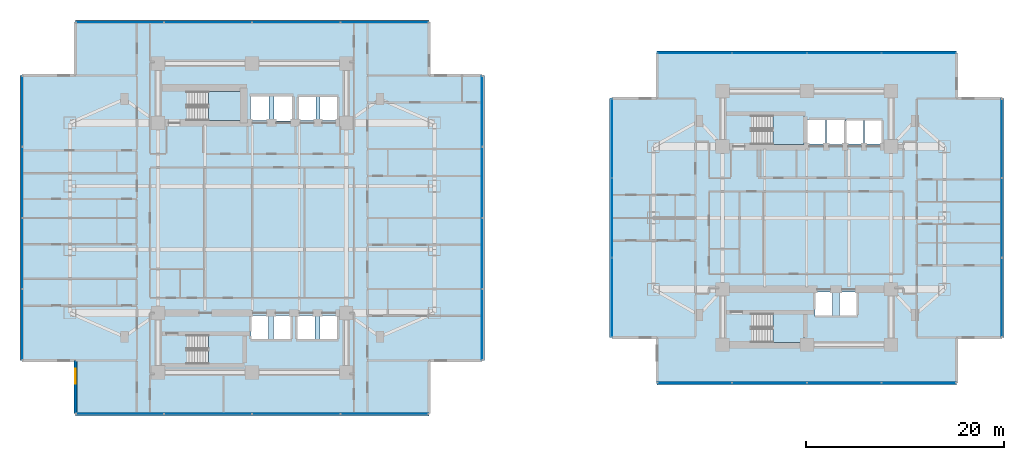
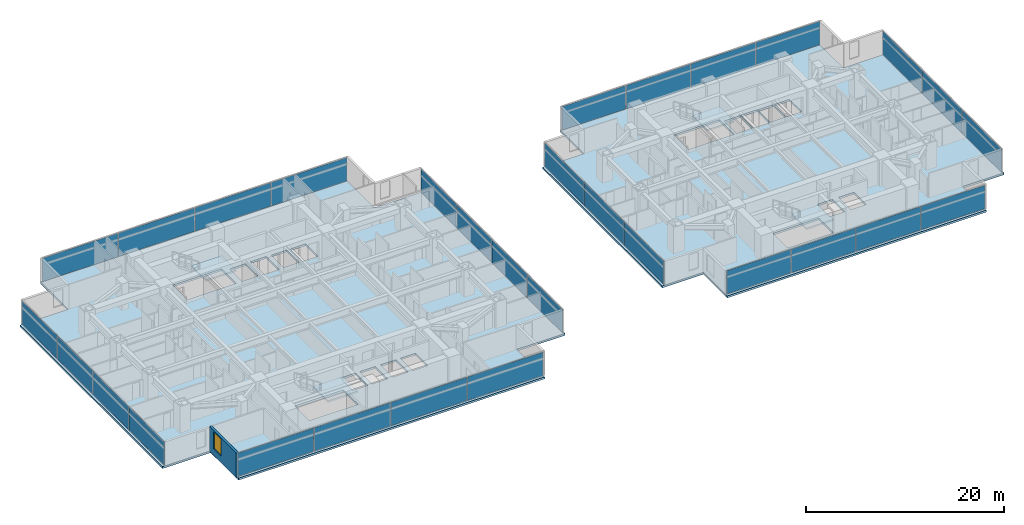
# One storey, part 13 of 26: 30 plates, 6 slabs, 1 wall, 1 window, 1 opening, 12 elements without a shape of their own.
"""IFC4 building model written with IfcOpenShell, lengths in metres."""

import ifcopenshell
import ifcopenshell.guid

model = None  # the IFC model being written
_history = None  # IfcOwnerHistory: only IFC2X3 demands one
_inside = {}  # id of a spatial element -> (the spatial element, [elements in it])
_under = {}  # id of a project, library or spatial element -> (it, [spatial elements below it])
_declared = {}  # id of a project -> (the project, [libraries it declares])
_typed = {}  # id of a type object -> (the type object, [elements of that type])
_made_of = {}  # id of a material, layer set ... -> (it, [elements and type objects made of it])


def new_model(schema):
    """Start an empty IFC model of exactly this schema.

    Asked for "IFC4X3", IfcOpenShell would pick the latest addendum, in which some entities
    have other attributes; the version numbers below select the first issue.
    IFC2X3 requires an IfcOwnerHistory on every rooted entity: one is made here for all.
    """
    global model, _history
    if schema == "IFC4X3":
        model = ifcopenshell.file(schema_version=(4, 3, 0, 0))
    else:
        model = ifcopenshell.file(schema=schema)
    _inside.clear()
    _under.clear()
    _declared.clear()
    _typed.clear()
    _made_of.clear()
    _history = None
    if model.schema == "IFC2X3":
        org = make("IfcOrganization", Name="unknown")
        user = make(
            "IfcPersonAndOrganization",
            ThePerson=make("IfcPerson", FamilyName="unknown"),
            TheOrganization=org,
        )
        app = make(
            "IfcApplication",
            ApplicationDeveloper=org,
            Version="unknown",
            ApplicationFullName="unknown",
            ApplicationIdentifier="unknown",
        )
        _history = make(
            "IfcOwnerHistory",
            OwningUser=user,
            OwningApplication=app,
            ChangeAction="ADDED",
            CreationDate=0,
        )
    return model


def make(cls, **values):
    """One entity of the class cls with the attributes given. An attribute that is None is left unset."""
    return model.create_entity(
        cls, **{name: value for name, value in values.items() if value is not None}
    )


def rooted(cls, **values):
    """An entity with a GlobalId (a new one), such as an element, a storey or a relation."""
    return make(cls, GlobalId=ifcopenshell.guid.new(), OwnerHistory=_history, **values)


def si_unit(unit_type, name, prefix=None):
    """IfcSIUnit, for example si_unit("LENGTHUNIT", "METRE", prefix="MILLI")."""
    return make("IfcSIUnit", UnitType=unit_type, Prefix=prefix, Name=name)


def assignment(units):
    """IfcUnitAssignment: the units of a project."""
    return None if units is None else make("IfcUnitAssignment", Units=units)


def point(xyz):
    """IfcCartesianPoint."""
    return None if xyz is None else make("IfcCartesianPoint", Coordinates=xyz)


def direction(xyz):
    """IfcDirection."""
    return None if xyz is None else make("IfcDirection", DirectionRatios=xyz)


def frame(location, z_axis=None, x_axis=None):
    """IfcAxis2Placement3D, a coordinate frame: its origin and axes. An axis left out is left unset."""
    return make(
        "IfcAxis2Placement3D",
        Location=point(location),
        Axis=direction(z_axis),
        RefDirection=direction(x_axis),
    )


def frame_2d(location, x_axis=None):
    """IfcAxis2Placement2D, a coordinate frame in the plane: its origin and x axis."""
    return make(
        "IfcAxis2Placement2D", Location=point(location), RefDirection=direction(x_axis)
    )


def origin():
    """The frame at (0, 0, 0) with its axes left unset."""
    return frame((0.0, 0.0, 0.0))


def origin_2d():
    """The frame at (0, 0) in the plane with its x axis left unset."""
    return frame_2d((0.0, 0.0))


def place(relative_to, where):
    """IfcLocalPlacement: puts the frame where relative to a parent placement (None: the world)."""
    return make(
        "IfcLocalPlacement", PlacementRelTo=relative_to, RelativePlacement=where
    )


def context(
    kind, dimensions, precision=None, world=None, true_north=None, identifier=None
):
    """IfcGeometricRepresentationContext, for example the 3D "Model" context."""
    return make(
        "IfcGeometricRepresentationContext",
        ContextIdentifier=identifier,
        ContextType=kind,
        CoordinateSpaceDimension=dimensions,
        Precision=precision,
        WorldCoordinateSystem=world,
        TrueNorth=true_north,
    )


def subcontext(parent, identifier, kind, view, scale=None):
    """IfcGeometricRepresentationSubContext, for example "Body" below "Model"."""
    return make(
        "IfcGeometricRepresentationSubContext",
        ContextIdentifier=identifier,
        ContextType=kind,
        ParentContext=parent,
        TargetScale=scale,
        TargetView=view,
    )


def project(units=None, contexts=None):
    """IfcProject with its units and contexts."""
    return rooted(
        "IfcProject",
        Name="project",
        RepresentationContexts=contexts,
        UnitsInContext=assignment(units),
    )


def spatial(cls, under=None, at=None, **own):
    """A site, building, storey or space (cls), placed at a placement, below another one or the project."""
    s = rooted(cls, ObjectPlacement=at, **own)
    if under is not None:
        _under.setdefault(under.id(), (under, []))[1].append(s)
    return s


def polyline(points):
    """IfcPolyline through the points."""
    return make("IfcPolyline", Points=[point(p) for p in points])


def profile(cls, at=None, kind="AREA", **sizes):
    """A parametric profile (cls). Its sizes go by their IFC names, for example OverallWidth=200.0."""
    return make(cls, ProfileType=kind, Position=at, **sizes)


def rectangle(**sizes):
    """IfcRectangleProfileDef."""
    return profile("IfcRectangleProfileDef", **sizes)


def outline(outer, holes=None, kind="AREA"):
    """IfcArbitraryClosedProfileDef: a profile drawn as a closed curve; with holes, ...WithVoids."""
    if holes is None:
        return make("IfcArbitraryClosedProfileDef", ProfileType=kind, OuterCurve=outer)
    return make(
        "IfcArbitraryProfileDefWithVoids",
        ProfileType=kind,
        OuterCurve=outer,
        InnerCurves=holes,
    )


def extrude(swept, where, along, depth):
    """IfcExtrudedAreaSolid: the profile swept, set in the frame where, extruded along a direction by depth."""
    return make(
        "IfcExtrudedAreaSolid",
        SweptArea=swept,
        Position=where,
        ExtrudedDirection=direction(along),
        Depth=depth,
    )


def shape(context_of_items, identifier, shape_type, items):
    """IfcShapeRepresentation: the items that make up one representation, for example the "Body"."""
    return make(
        "IfcShapeRepresentation",
        ContextOfItems=context_of_items,
        RepresentationIdentifier=identifier,
        RepresentationType=shape_type,
        Items=items,
    )


def material(Name=None, Category=None):
    """IfcMaterial."""
    return make("IfcMaterial", Name=Name, Category=Category)


def layer(
    of_material, thickness, ventilated=None, Name=None, Category=None, Priority=None
):
    """IfcMaterialLayer: one layer of a wall or slab, of a material (None: an air gap)."""
    return make(
        "IfcMaterialLayer",
        Material=of_material,
        LayerThickness=thickness,
        IsVentilated=ventilated,
        Name=Name,
        Category=Category,
        Priority=Priority,
    )


def layer_set(layers, Name=None):
    """IfcMaterialLayerSet."""
    return make("IfcMaterialLayerSet", MaterialLayers=layers, LayerSetName=Name)


def made_of(thing, what):
    """Note that an element or type object is made of a material, layer set ...; save() writes the relation."""
    if what is not None:
        _made_of.setdefault(what.id(), (what, []))[1].append(thing)
    return thing


def type_object(cls, material=None, **own):
    """A type object (cls), such as IfcWallType, which elements share."""
    return made_of(rooted(cls, **own), material)


def element(
    cls,
    number,
    at=None,
    inside=None,
    cuts=None,
    type_object=None,
    material=None,
    context=None,
    identifier="Body",
    shape_type=None,
    held_by="IfcProductDefinitionShape",
    body=None,
    shapes=None,
    **own,
):
    """One element of the class cls, such as IfcWall. Its Tag is "e" and its number.

    at: its placement. inside: the storey or other place that contains it. cuts: it is an
    opening in that element (IfcRelVoidsElement). A single representation is given by context,
    identifier, shape_type and body (its items); several are given by shapes. held_by: the class
    of the entity that holds the representations. save() writes the other relations.
    """
    e = rooted(cls, Tag="e%d" % number, ObjectPlacement=at, **own)
    if body is not None:
        shapes = [shape(context, identifier, shape_type, body)]
    if shapes is not None:
        e.Representation = make(held_by, Representations=shapes)
    if inside is not None:
        _inside.setdefault(inside.id(), (inside, []))[1].append(e)
    if cuts is not None:
        rooted(
            "IfcRelVoidsElement", RelatingBuildingElement=cuts, RelatedOpeningElement=e
        )
    if type_object is not None:
        _typed.setdefault(type_object.id(), (type_object, []))[1].append(e)
    return made_of(e, material)


def fill(opening, filler):
    """IfcRelFillsElement: the door or window that sits in an opening."""
    return rooted(
        "IfcRelFillsElement",
        RelatingOpeningElement=opening,
        RelatedBuildingElement=filler,
    )


def aggregate(whole, parts):
    """IfcRelAggregates: a whole, such as a stair, and the parts it consists of."""
    return rooted("IfcRelAggregates", RelatingObject=whole, RelatedObjects=parts)


def save(model, path):
    """Write the relations noted so far, then the file.

    IfcRelAggregates (storeys below a building ...), IfcRelContainedInSpatialStructure (elements
    in a storey), IfcRelDefinesByType, IfcRelAssociatesMaterial and IfcRelDeclares: one each for
    every whole, place, type object, material and project.
    """
    for whole, parts in _under.values():
        aggregate(whole, parts)
    for where, things in _inside.values():
        rooted(
            "IfcRelContainedInSpatialStructure",
            RelatedElements=things,
            RelatingStructure=where,
        )
    for kind, things in _typed.values():
        rooted("IfcRelDefinesByType", RelatedObjects=things, RelatingType=kind)
    for what, things in _made_of.values():
        rooted("IfcRelAssociatesMaterial", RelatedObjects=things, RelatingMaterial=what)
    for by, libraries in _declared.values():
        rooted("IfcRelDeclares", RelatingContext=by, RelatedDefinitions=libraries)
    model.write(path)


model = new_model("IFC4")

# Units and contexts
model_context = context("Model", 3, precision=1e-05, world=origin(), true_north=direction((0.0, 1.0)))
body_context = subcontext(model_context, "Body", "Model", "MODEL_VIEW")
ifc_project = project(units=[si_unit("LENGTHUNIT", "METRE"), si_unit("AREAUNIT", "SQUARE_METRE"), si_unit("VOLUMEUNIT", "CUBIC_METRE"), si_unit("PLANEANGLEUNIT", "RADIAN"), si_unit("MASSUNIT", "GRAM", prefix="KILO")], contexts=[model_context])

# Site, building, storey
site_placement = place(None, origin())
site = spatial("IfcSite", under=ifc_project, at=site_placement, CompositionType="ELEMENT")
building_placement = place(site_placement, origin())
building = spatial("IfcBuilding", under=site, at=building_placement, Name="Mirazonda Arch Towers", CompositionType="ELEMENT")
storey_placement = place(building_placement, frame((0.0, 0.0, 48.800048828125)))
storey = spatial("IfcBuildingStorey", under=building, at=storey_placement, Name="L13", CompositionType="ELEMENT", Elevation=48.800048828125)

# Curtain wall, plates
ifc_material_1 = material(Name="Anodised Aluminium and Low-E Glass", Category="aluminium")
curtain_wall_type = type_object("IfcCurtainWallType", Name="CW-HTL-UNIT", PredefinedType="NOTDEFINED", material=ifc_material_1)
curtain_wall_1_placement = place(storey_placement, origin())
curtain_wall_1 = element("IfcCurtainWall", 1, at=curtain_wall_1_placement, inside=storey, type_object=curtain_wall_type, Name="L13 T1 S Facade CW-L13-T1-S", PredefinedType="NOTDEFINED")
ifc_material_2 = material(Name="Insulated Low-E Solar Glass", Category="glass")
ifc_layer_1 = layer(ifc_material_2, 0.035888671875, Name="PAN-CW-HTL-UNIT")
ifc_layer_set_1 = layer_set([ifc_layer_1], Name="Insulated Low-E Solar Glass")
plate_type = type_object("IfcPlateType", Name="PAN-CW-HTL-UNIT", PredefinedType="CURTAIN_PANEL", material=ifc_layer_set_1)
plate_1_placement = place(storey_placement, frame((33.861328125, 8.236083984375, 0.0751953125), z_axis=(0.0, 0.0, 1.0), x_axis=(-1.0, 0.0, 0.0)))
plate_1 = element("IfcPlate", 2, at=plate_1_placement, type_object=plate_type, Name="CW-112 panel 1.1", PredefinedType="CURTAIN_PANEL", context=body_context, shape_type="SweptSolid", body=[
    extrude(rectangle(XDim=8.8076171875, YDim=0.035888671875, at=origin_2d()), origin(), (0.0, 0.0, 1.0), 2.889892578125),
])
plate_2_placement = place(storey_placement, frame((24.9599609375, 8.236083984375, 0.0751953125), z_axis=(0.0, 0.0, 1.0), x_axis=(-1.0, 0.0, 0.0)))
plate_2 = element("IfcPlate", 3, at=plate_2_placement, type_object=plate_type, Name="CW-112 panel 2.1", PredefinedType="CURTAIN_PANEL", context=body_context, shape_type="SweptSolid", body=[
    extrude(rectangle(XDim=8.844970703125, YDim=0.035888671875, at=origin_2d()), origin(), (0.0, 0.0, 1.0), 2.889892578125),
])
plate_3_placement = place(storey_placement, frame((16.0400390625, 8.236083984375, 0.0751953125), z_axis=(0.0, 0.0, 1.0), x_axis=(-1.0, 0.0, 0.0)))
plate_3 = element("IfcPlate", 4, at=plate_3_placement, type_object=plate_type, Name="CW-112 panel 3.1", PredefinedType="CURTAIN_PANEL", context=body_context, shape_type="SweptSolid", body=[
    extrude(rectangle(XDim=8.844970703125, YDim=0.035888671875, at=origin_2d()), origin(), (0.0, 0.0, 1.0), 2.889892578125),
])
plate_4_placement = place(storey_placement, frame((7.138671875, 8.236083984375, 0.0751953125), z_axis=(0.0, 0.0, 1.0), x_axis=(-1.0, 0.0, 0.0)))
plate_4 = element("IfcPlate", 5, at=plate_4_placement, type_object=plate_type, Name="CW-112 panel 4.1", PredefinedType="CURTAIN_PANEL", context=body_context, shape_type="SweptSolid", body=[
    extrude(rectangle(XDim=8.8076171875, YDim=0.035888671875, at=origin_2d()), origin(), (0.0, 0.0, 1.0), 2.889892578125),
])
aggregate(curtain_wall_1, [plate_1, plate_2, plate_3, plate_4])

curtain_wall_2_placement = place(storey_placement, origin())
curtain_wall_2 = element("IfcCurtainWall", 6, at=curtain_wall_2_placement, inside=storey, type_object=curtain_wall_type, Name="L13 T1 E Facade CW-L13-T1-E", PredefinedType="NOTDEFINED")
plate_5_placement = place(storey_placement, frame((43.719970703125, 17.230712890625, 0.0751953125), z_axis=(0.0, 0.0, 1.0), x_axis=(0.0, 1.0, 0.0)))
plate_5 = element("IfcPlate", 7, at=plate_5_placement, type_object=plate_type, Name="CW-112 panel 1.1", PredefinedType="CURTAIN_PANEL", context=body_context, shape_type="SweptSolid", body=[
    extrude(rectangle(XDim=7.07958984375, YDim=0.035888671875, at=origin_2d()), origin(), (0.0, 0.0, 1.0), 2.889892578125),
])
plate_6_placement = place(storey_placement, frame((43.719970703125, 24.404052734375, 0.0751953125), z_axis=(0.0, 0.0, 1.0), x_axis=(0.0, 1.0, 0.0)))
plate_6 = element("IfcPlate", 8, at=plate_6_placement, type_object=plate_type, Name="CW-112 panel 2.1", PredefinedType="CURTAIN_PANEL", context=body_context, shape_type="SweptSolid", body=[
    extrude(rectangle(XDim=7.116943359375, YDim=0.035888671875, at=origin_2d()), origin(), (0.0, 0.0, 1.0), 2.889892578125),
])
plate_7_placement = place(storey_placement, frame((43.719970703125, 31.595947265625, 0.0751953125), z_axis=(0.0, 0.0, 1.0), x_axis=(0.0, 1.0, 0.0)))
plate_7 = element("IfcPlate", 9, at=plate_7_placement, type_object=plate_type, Name="CW-112 panel 3.1", PredefinedType="CURTAIN_PANEL", context=body_context, shape_type="SweptSolid", body=[
    extrude(rectangle(XDim=7.116943359375, YDim=0.035888671875, at=origin_2d()), origin(), (0.0, 0.0, 1.0), 2.889892578125),
])
plate_8_placement = place(storey_placement, frame((43.719970703125, 38.769287109375, 0.0751953125), z_axis=(0.0, 0.0, 1.0), x_axis=(0.0, 1.0, 0.0)))
plate_8 = element("IfcPlate", 10, at=plate_8_placement, type_object=plate_type, Name="CW-112 panel 4.1", PredefinedType="CURTAIN_PANEL", context=body_context, shape_type="SweptSolid", body=[
    extrude(rectangle(XDim=7.07958984375, YDim=0.035888671875, at=origin_2d()), origin(), (0.0, 0.0, 1.0), 2.889892578125),
])
aggregate(curtain_wall_2, [plate_5, plate_6, plate_7, plate_8])

curtain_wall_3_placement = place(storey_placement, origin())
curtain_wall_3 = element("IfcCurtainWall", 11, at=curtain_wall_3_placement, inside=storey, type_object=curtain_wall_type, Name="L13 T1 N Facade CW-L13-T1-N", PredefinedType="NOTDEFINED")
plate_9_placement = place(storey_placement, frame((7.138671875, 47.763916015625, 0.0751953125), z_axis=(0.0, 0.0, 1.0), x_axis=(1.0, 0.0, 0.0)))
plate_9 = element("IfcPlate", 12, at=plate_9_placement, type_object=plate_type, Name="CW-112 panel 1.1", PredefinedType="CURTAIN_PANEL", context=body_context, shape_type="SweptSolid", body=[
    extrude(rectangle(XDim=8.8076171875, YDim=0.035888671875, at=origin_2d()), origin(), (0.0, 0.0, 1.0), 2.889892578125),
])
plate_10_placement = place(storey_placement, frame((16.0400390625, 47.763916015625, 0.0751953125), z_axis=(0.0, 0.0, 1.0), x_axis=(1.0, 0.0, 0.0)))
plate_10 = element("IfcPlate", 13, at=plate_10_placement, type_object=plate_type, Name="CW-112 panel 2.1", PredefinedType="CURTAIN_PANEL", context=body_context, shape_type="SweptSolid", body=[
    extrude(rectangle(XDim=8.844970703125, YDim=0.035888671875, at=origin_2d()), origin(), (0.0, 0.0, 1.0), 2.889892578125),
])
plate_11_placement = place(storey_placement, frame((24.9599609375, 47.763916015625, 0.0751953125), z_axis=(0.0, 0.0, 1.0), x_axis=(1.0, 0.0, 0.0)))
plate_11 = element("IfcPlate", 14, at=plate_11_placement, type_object=plate_type, Name="CW-112 panel 3.1", PredefinedType="CURTAIN_PANEL", context=body_context, shape_type="SweptSolid", body=[
    extrude(rectangle(XDim=8.844970703125, YDim=0.035888671875, at=origin_2d()), origin(), (0.0, 0.0, 1.0), 2.889892578125),
])
plate_12_placement = place(storey_placement, frame((33.861328125, 47.763916015625, 0.0751953125), z_axis=(0.0, 0.0, 1.0), x_axis=(1.0, 0.0, 0.0)))
plate_12 = element("IfcPlate", 15, at=plate_12_placement, type_object=plate_type, Name="CW-112 panel 4.1", PredefinedType="CURTAIN_PANEL", context=body_context, shape_type="SweptSolid", body=[
    extrude(rectangle(XDim=8.8076171875, YDim=0.035888671875, at=origin_2d()), origin(), (0.0, 0.0, 1.0), 2.889892578125),
])
aggregate(curtain_wall_3, [plate_9, plate_10, plate_11, plate_12])

curtain_wall_4_placement = place(storey_placement, origin())
curtain_wall_4 = element("IfcCurtainWall", 16, at=curtain_wall_4_placement, inside=storey, type_object=curtain_wall_type, Name="L13 T1 W Facade CW-L13-T1-W", PredefinedType="NOTDEFINED")
plate_13_placement = place(storey_placement, frame((-2.719970703125, 38.769287109375, 0.0751953125), z_axis=(0.0, 0.0, 1.0), x_axis=(0.0, -1.0, 0.0)))
plate_13 = element("IfcPlate", 17, at=plate_13_placement, type_object=plate_type, Name="CW-112 panel 1.1", PredefinedType="CURTAIN_PANEL", context=body_context, shape_type="SweptSolid", body=[
    extrude(rectangle(XDim=7.07958984375, YDim=0.035888671875, at=origin_2d()), origin(), (0.0, 0.0, 1.0), 2.889892578125),
])
plate_14_placement = place(storey_placement, frame((-2.719970703125, 31.595947265625, 0.0751953125), z_axis=(0.0, 0.0, 1.0), x_axis=(0.0, -1.0, 0.0)))
plate_14 = element("IfcPlate", 18, at=plate_14_placement, type_object=plate_type, Name="CW-112 panel 2.1", PredefinedType="CURTAIN_PANEL", context=body_context, shape_type="SweptSolid", body=[
    extrude(rectangle(XDim=7.116943359375, YDim=0.035888671875, at=origin_2d()), origin(), (0.0, 0.0, 1.0), 2.889892578125),
])
plate_15_placement = place(storey_placement, frame((-2.719970703125, 24.404052734375, 0.0751953125), z_axis=(0.0, 0.0, 1.0), x_axis=(0.0, -1.0, 0.0)))
plate_15 = element("IfcPlate", 19, at=plate_15_placement, type_object=plate_type, Name="CW-112 panel 3.1", PredefinedType="CURTAIN_PANEL", context=body_context, shape_type="SweptSolid", body=[
    extrude(rectangle(XDim=7.116943359375, YDim=0.035888671875, at=origin_2d()), origin(), (0.0, 0.0, 1.0), 2.889892578125),
])
plate_16_placement = place(storey_placement, frame((-2.719970703125, 17.230712890625, 0.0751953125), z_axis=(0.0, 0.0, 1.0), x_axis=(0.0, -1.0, 0.0)))
plate_16 = element("IfcPlate", 20, at=plate_16_placement, type_object=plate_type, Name="CW-112 panel 4.1", PredefinedType="CURTAIN_PANEL", context=body_context, shape_type="SweptSolid", body=[
    extrude(rectangle(XDim=7.07958984375, YDim=0.035888671875, at=origin_2d()), origin(), (0.0, 0.0, 1.0), 2.889892578125),
])
aggregate(curtain_wall_4, [plate_13, plate_14, plate_15, plate_16])

curtain_wall_5_placement = place(storey_placement, origin())
curtain_wall_5 = element("IfcCurtainWall", 21, at=curtain_wall_5_placement, inside=storey, type_object=curtain_wall_type, Name="L13 T2 S Facade CW-L13-T2-S", PredefinedType="NOTDEFINED")
plate_17_placement = place(storey_placement, frame((87.809326171875, 11.353515625, 0.0751953125), z_axis=(0.0, 0.0, 1.0), x_axis=(-1.0, 0.0, 0.0)))
plate_17 = element("IfcPlate", 22, at=plate_17_placement, type_object=plate_type, Name="CW-112 panel 1.1", PredefinedType="CURTAIN_PANEL", context=body_context, shape_type="SweptSolid", body=[
    extrude(rectangle(XDim=7.439453125, YDim=0.035888671875, at=origin_2d()), origin(), (0.0, 0.0, 1.0), 2.889892578125),
])
plate_18_placement = place(storey_placement, frame((80.27587890625, 11.353515625, 0.0751953125), z_axis=(0.0, 0.0, 1.0), x_axis=(-1.0, 0.0, 0.0)))
plate_18 = element("IfcPlate", 23, at=plate_18_placement, type_object=plate_type, Name="CW-112 panel 2.1", PredefinedType="CURTAIN_PANEL", context=body_context, shape_type="SweptSolid", body=[
    extrude(rectangle(XDim=7.47705078125, YDim=0.035888671875, at=origin_2d()), origin(), (0.0, 0.0, 1.0), 2.889892578125),
])
plate_19_placement = place(storey_placement, frame((72.72412109375, 11.353515625, 0.0751953125), z_axis=(0.0, 0.0, 1.0), x_axis=(-1.0, 0.0, 0.0)))
plate_19 = element("IfcPlate", 24, at=plate_19_placement, type_object=plate_type, Name="CW-112 panel 3.1", PredefinedType="CURTAIN_PANEL", context=body_context, shape_type="SweptSolid", body=[
    extrude(rectangle(XDim=7.47705078125, YDim=0.035888671875, at=origin_2d()), origin(), (0.0, 0.0, 1.0), 2.889892578125),
])
plate_20_placement = place(storey_placement, frame((65.190673828125, 11.353515625, 0.0751953125), z_axis=(0.0, 0.0, 1.0), x_axis=(-1.0, 0.0, 0.0)))
plate_20 = element("IfcPlate", 25, at=plate_20_placement, type_object=plate_type, Name="CW-112 panel 4.1", PredefinedType="CURTAIN_PANEL", context=body_context, shape_type="SweptSolid", body=[
    extrude(rectangle(XDim=7.439453125, YDim=0.035888671875, at=origin_2d()), origin(), (0.0, 0.0, 1.0), 2.889892578125),
])
aggregate(curtain_wall_5, [plate_17, plate_18, plate_19, plate_20])

curtain_wall_6_placement = place(storey_placement, origin())
curtain_wall_6 = element("IfcCurtainWall", 26, at=curtain_wall_6_placement, inside=storey, type_object=curtain_wall_type, Name="L13 T2 E Facade CW-L13-T2-E", PredefinedType="NOTDEFINED")
plate_21_placement = place(storey_placement, frame((96.18408203125, 19.974365234375, 0.0751953125), z_axis=(0.0, 0.0, 1.0), x_axis=(0.0, 1.0, 0.0)))
plate_21 = element("IfcPlate", 27, at=plate_21_placement, type_object=plate_type, Name="CW-112 panel 1.1", PredefinedType="CURTAIN_PANEL", context=body_context, shape_type="SweptSolid", body=[
    extrude(rectangle(XDim=7.931884765625, YDim=0.035888671875, at=origin_2d()), origin(), (0.0, 0.0, 1.0), 2.889892578125),
])
plate_22_placement = place(storey_placement, frame((96.18408203125, 28.0, 0.0751953125), z_axis=(0.0, 0.0, 1.0), x_axis=(0.0, 1.0, 0.0)))
plate_22 = element("IfcPlate", 28, at=plate_22_placement, type_object=plate_type, Name="CW-112 panel 2.1", PredefinedType="CURTAIN_PANEL", context=body_context, shape_type="SweptSolid", body=[
    extrude(rectangle(XDim=7.96923828125, YDim=0.035888671875, at=origin_2d()), origin(), (0.0, 0.0, 1.0), 2.889892578125),
])
plate_23_placement = place(storey_placement, frame((96.18408203125, 36.025634765625, 0.0751953125), z_axis=(0.0, 0.0, 1.0), x_axis=(0.0, 1.0, 0.0)))
plate_23 = element("IfcPlate", 29, at=plate_23_placement, type_object=plate_type, Name="CW-112 panel 3.1", PredefinedType="CURTAIN_PANEL", context=body_context, shape_type="SweptSolid", body=[
    extrude(rectangle(XDim=7.931884765625, YDim=0.035888671875, at=origin_2d()), origin(), (0.0, 0.0, 1.0), 2.889892578125),
])
aggregate(curtain_wall_6, [plate_21, plate_22, plate_23])

curtain_wall_7_placement = place(storey_placement, origin())
curtain_wall_7 = element("IfcCurtainWall", 30, at=curtain_wall_7_placement, inside=storey, type_object=curtain_wall_type, Name="L13 T2 N Facade CW-L13-T2-N", PredefinedType="NOTDEFINED")
plate_24_placement = place(storey_placement, frame((65.190673828125, 44.646484375, 0.0751953125), z_axis=(0.0, 0.0, 1.0), x_axis=(1.0, 0.0, 0.0)))
plate_24 = element("IfcPlate", 31, at=plate_24_placement, type_object=plate_type, Name="CW-112 panel 1.1", PredefinedType="CURTAIN_PANEL", context=body_context, shape_type="SweptSolid", body=[
    extrude(rectangle(XDim=7.439453125, YDim=0.035888671875, at=origin_2d()), origin(), (0.0, 0.0, 1.0), 2.889892578125),
])
plate_25_placement = place(storey_placement, frame((72.72412109375, 44.646484375, 0.0751953125), z_axis=(0.0, 0.0, 1.0), x_axis=(1.0, 0.0, 0.0)))
plate_25 = element("IfcPlate", 32, at=plate_25_placement, type_object=plate_type, Name="CW-112 panel 2.1", PredefinedType="CURTAIN_PANEL", context=body_context, shape_type="SweptSolid", body=[
    extrude(rectangle(XDim=7.47705078125, YDim=0.035888671875, at=origin_2d()), origin(), (0.0, 0.0, 1.0), 2.889892578125),
])
plate_26_placement = place(storey_placement, frame((80.27587890625, 44.646484375, 0.0751953125), z_axis=(0.0, 0.0, 1.0), x_axis=(1.0, 0.0, 0.0)))
plate_26 = element("IfcPlate", 33, at=plate_26_placement, type_object=plate_type, Name="CW-112 panel 3.1", PredefinedType="CURTAIN_PANEL", context=body_context, shape_type="SweptSolid", body=[
    extrude(rectangle(XDim=7.47705078125, YDim=0.035888671875, at=origin_2d()), origin(), (0.0, 0.0, 1.0), 2.889892578125),
])
plate_27_placement = place(storey_placement, frame((87.809326171875, 44.646484375, 0.0751953125), z_axis=(0.0, 0.0, 1.0), x_axis=(1.0, 0.0, 0.0)))
plate_27 = element("IfcPlate", 34, at=plate_27_placement, type_object=plate_type, Name="CW-112 panel 4.1", PredefinedType="CURTAIN_PANEL", context=body_context, shape_type="SweptSolid", body=[
    extrude(rectangle(XDim=7.439453125, YDim=0.035888671875, at=origin_2d()), origin(), (0.0, 0.0, 1.0), 2.889892578125),
])
aggregate(curtain_wall_7, [plate_24, plate_25, plate_26, plate_27])

curtain_wall_8_placement = place(storey_placement, origin())
curtain_wall_8 = element("IfcCurtainWall", 35, at=curtain_wall_8_placement, inside=storey, type_object=curtain_wall_type, Name="L13 T2 W Facade CW-L13-T2-W", PredefinedType="NOTDEFINED")
plate_28_placement = place(storey_placement, frame((56.81591796875, 36.025634765625, 0.0751953125), z_axis=(0.0, 0.0, 1.0), x_axis=(0.0, -1.0, 0.0)))
plate_28 = element("IfcPlate", 36, at=plate_28_placement, type_object=plate_type, Name="CW-112 panel 1.1", PredefinedType="CURTAIN_PANEL", context=body_context, shape_type="SweptSolid", body=[
    extrude(rectangle(XDim=7.931884765625, YDim=0.035888671875, at=origin_2d()), origin(), (0.0, 0.0, 1.0), 2.889892578125),
])
plate_29_placement = place(storey_placement, frame((56.81591796875, 28.0, 0.0751953125), z_axis=(0.0, 0.0, 1.0), x_axis=(0.0, -1.0, 0.0)))
plate_29 = element("IfcPlate", 37, at=plate_29_placement, type_object=plate_type, Name="CW-112 panel 2.1", PredefinedType="CURTAIN_PANEL", context=body_context, shape_type="SweptSolid", body=[
    extrude(rectangle(XDim=7.96923828125, YDim=0.035888671875, at=origin_2d()), origin(), (0.0, 0.0, 1.0), 2.889892578125),
])
plate_30_placement = place(storey_placement, frame((56.81591796875, 19.974365234375, 0.0751953125), z_axis=(0.0, 0.0, 1.0), x_axis=(0.0, -1.0, 0.0)))
plate_30 = element("IfcPlate", 38, at=plate_30_placement, type_object=plate_type, Name="CW-112 panel 3.1", PredefinedType="CURTAIN_PANEL", context=body_context, shape_type="SweptSolid", body=[
    extrude(rectangle(XDim=7.931884765625, YDim=0.035888671875, at=origin_2d()), origin(), (0.0, 0.0, 1.0), 2.889892578125),
])
aggregate(curtain_wall_8, [plate_28, plate_29, plate_30])

# Stair, slab
ifc_material_3 = material(Name="Concrete C40/50", Category="concrete")
stair_type = type_object("IfcStairType", Name="STAIR-CORE-1400", PredefinedType="HALF_TURN_STAIR", material=ifc_material_3)
stair_1_placement = place(storey_placement, origin())
stair_1 = element("IfcStair", 39, at=stair_1_placement, inside=storey, type_object=stair_type, Name="L13 Protected Exit Stair ST-T1N", PredefinedType="HALF_TURN_STAIR")
ifc_layer_2 = layer(ifc_material_3, 0.18994140625, Name="SLAB-LANDING-190")
ifc_layer_set_2 = layer_set([ifc_layer_2], Name="Concrete C40/50")
slab_type_1 = type_object("IfcSlabType", Name="SLAB-LANDING-190", PredefinedType="LANDING", material=ifc_layer_set_2)
slab_1_placement = place(storey_placement, frame((0.0, 0.0, 1.449951171875)))
slab_1 = element("IfcSlab", 40, at=slab_1_placement, type_object=slab_type_1, Name="ST-T1N landing 1", PredefinedType="LANDING", context=body_context, shape_type="SweptSolid", body=[
    extrude(outline(polyline([(16.090087890625, 37.820068359375), (19.60009765625, 37.820068359375), (19.60009765625, 40.760009765625), (16.090087890625, 40.760009765625), (16.090087890625, 37.820068359375)])), origin(), (0.0, 0.0, 1.0), 0.199951171875),
])
aggregate(stair_1, [slab_1])

stair_2_placement = place(storey_placement, origin())
stair_2 = element("IfcStair", 41, at=stair_2_placement, inside=storey, type_object=stair_type, Name="L13 Protected Exit Stair ST-T1S", PredefinedType="HALF_TURN_STAIR")
slab_2_placement = place(storey_placement, frame((0.0, 0.0, 1.449951171875)))
slab_2 = element("IfcSlab", 42, at=slab_2_placement, type_object=slab_type_1, Name="ST-T1S landing 1", PredefinedType="LANDING", context=body_context, shape_type="SweptSolid", body=[
    extrude(outline(polyline([(16.090087890625, 13.25), (19.60009765625, 13.25), (19.60009765625, 16.18994140625), (16.090087890625, 16.18994140625), (16.090087890625, 13.25)])), origin(), (0.0, 0.0, 1.0), 0.199951171875),
])
aggregate(stair_2, [slab_2])

stair_3_placement = place(storey_placement, origin())
stair_3 = element("IfcStair", 43, at=stair_3_placement, inside=storey, type_object=stair_type, Name="L13 Protected Exit Stair ST-T2N", PredefinedType="HALF_TURN_STAIR")
slab_3_placement = place(storey_placement, frame((0.0, 0.0, 1.449951171875)))
slab_3 = element("IfcSlab", 44, at=slab_3_placement, type_object=slab_type_1, Name="ST-T2N landing 1", PredefinedType="LANDING", context=body_context, shape_type="SweptSolid", body=[
    extrude(outline(polyline([(73.090087890625, 35.419921875), (76.22998046875, 35.419921875), (76.22998046875, 38.360107421875), (73.090087890625, 38.360107421875), (73.090087890625, 35.419921875)])), origin(), (0.0, 0.0, 1.0), 0.199951171875),
])
aggregate(stair_3, [slab_3])

stair_4_placement = place(storey_placement, origin())
stair_4 = element("IfcStair", 45, at=stair_4_placement, inside=storey, type_object=stair_type, Name="L13 Protected Exit Stair ST-T2S", PredefinedType="HALF_TURN_STAIR")
slab_4_placement = place(storey_placement, frame((0.0, 0.0, 1.449951171875)))
slab_4 = element("IfcSlab", 46, at=slab_4_placement, type_object=slab_type_1, Name="ST-T2S landing 1", PredefinedType="LANDING", context=body_context, shape_type="SweptSolid", body=[
    extrude(outline(polyline([(73.090087890625, 15.419921875), (76.22998046875, 15.419921875), (76.22998046875, 18.360107421875), (73.090087890625, 18.360107421875), (73.090087890625, 15.419921875)])), origin(), (0.0, 0.0, 1.0), 0.199951171875),
])
aggregate(stair_4, [slab_4])

# Slabs
ifc_layer_3 = layer(ifc_material_3, 0.239990234375, Name="SLAB-TWR-240")
ifc_layer_set_3 = layer_set([ifc_layer_3], Name="Concrete C40/50")
slab_type_2 = type_object("IfcSlabType", Name="SLAB-TWR-240", PredefinedType="FLOOR", material=ifc_layer_set_3)
slab_5_placement = place(storey_placement, frame((0.0, 0.0, -0.239990234375)))
element("IfcSlab", 47, at=slab_5_placement, inside=storey, type_object=slab_type_2, Name="L13 Tower 1 Floor Slab", PredefinedType="FLOOR", context=body_context, shape_type="SweptSolid", body=[
    extrude(outline(polyline([(2.659912109375, 8.01611328125), (38.340087890625, 8.01611328125), (38.340087890625, 13.615966796875), (43.93994140625, 13.615966796875), (43.93994140625, 42.384033203125), (38.340087890625, 42.384033203125), (38.340087890625, 47.98388671875), (2.659912109375, 47.98388671875), (2.659912109375, 42.384033203125), (-2.93994140625, 42.384033203125), (-2.93994140625, 13.615966796875), (2.659912109375, 13.615966796875), (2.659912109375, 8.01611328125)]), holes=[polyline([(29.139892578125, 18.139892578125), (29.139892578125, 15.659912109375), (27.360107421875, 15.659912109375), (27.360107421875, 18.139892578125), (29.139892578125, 18.139892578125)]), polyline([(29.139892578125, 40.340087890625), (29.139892578125, 37.860107421875), (27.360107421875, 37.860107421875), (27.360107421875, 40.340087890625), (29.139892578125, 40.340087890625)]), polyline([(25.159912109375, 40.340087890625), (26.93994140625, 40.340087890625), (26.93994140625, 37.860107421875), (25.159912109375, 37.860107421875), (25.159912109375, 40.340087890625)]), polyline([(26.840087890625, 18.139892578125), (26.840087890625, 15.659912109375), (25.06005859375, 15.659912109375), (25.06005859375, 18.139892578125), (26.840087890625, 18.139892578125)]), polyline([(22.7099609375, 40.389892578125), (24.590087890625, 40.389892578125), (24.590087890625, 37.81005859375), (22.7099609375, 37.81005859375), (22.7099609375, 40.389892578125)]), polyline([(22.659912109375, 18.139892578125), (24.43994140625, 18.139892578125), (24.43994140625, 15.659912109375), (22.659912109375, 15.659912109375), (22.659912109375, 18.139892578125)]), polyline([(20.31005859375, 40.340087890625), (22.18994140625, 40.340087890625), (22.18994140625, 37.860107421875), (20.31005859375, 37.860107421875), (20.31005859375, 40.340087890625)]), polyline([(20.360107421875, 18.139892578125), (22.139892578125, 18.139892578125), (22.139892578125, 15.659912109375), (20.360107421875, 15.659912109375), (20.360107421875, 18.139892578125)]), polyline([(13.925048828125, 40.760009765625), (19.60009765625, 40.760009765625), (19.60009765625, 37.820068359375), (13.925048828125, 37.820068359375), (13.925048828125, 40.760009765625)]), polyline([(13.925048828125, 13.25), (13.925048828125, 16.18994140625), (19.60009765625, 16.18994140625), (19.60009765625, 13.25), (13.925048828125, 13.25)])]), origin(), (0.0, 0.0, 1.0), 0.239990234375),
])
slab_6_placement = place(storey_placement, frame((0.0, 0.0, -0.239990234375)))
element("IfcSlab", 48, at=slab_6_placement, inside=storey, type_object=slab_type_2, Name="L13 Tower 2 Floor Slab", PredefinedType="FLOOR", context=body_context, shape_type="SweptSolid", body=[
    extrude(outline(polyline([(61.39599609375, 11.133544921875), (91.60400390625, 11.133544921875), (91.60400390625, 15.93359375), (96.404052734375, 15.93359375), (96.404052734375, 40.06640625), (91.60400390625, 40.06640625), (91.60400390625, 44.866455078125), (61.39599609375, 44.866455078125), (61.39599609375, 40.06640625), (56.595947265625, 40.06640625), (56.595947265625, 15.93359375), (61.39599609375, 15.93359375), (61.39599609375, 11.133544921875)]), holes=[polyline([(82.330078125, 37.93994140625), (84.110107421875, 37.93994140625), (84.110107421875, 35.4599609375), (82.330078125, 35.4599609375), (82.330078125, 37.93994140625)]), polyline([(80.449951171875, 37.93994140625), (82.22998046875, 37.93994140625), (82.22998046875, 35.4599609375), (80.449951171875, 35.4599609375), (80.449951171875, 37.93994140625)]), polyline([(79.81005859375, 20.5400390625), (81.590087890625, 20.5400390625), (81.590087890625, 18.06005859375), (79.81005859375, 18.06005859375), (79.81005859375, 20.5400390625)]), polyline([(78.47998046875, 37.989990234375), (80.360107421875, 37.989990234375), (80.360107421875, 35.409912109375), (78.47998046875, 35.409912109375), (78.47998046875, 37.989990234375)]), polyline([(77.31005859375, 20.5400390625), (79.090087890625, 20.5400390625), (79.090087890625, 18.06005859375), (77.31005859375, 18.06005859375), (77.31005859375, 20.5400390625)]), polyline([(76.510009765625, 37.93994140625), (78.389892578125, 37.93994140625), (78.389892578125, 35.4599609375), (76.510009765625, 35.4599609375), (76.510009765625, 37.93994140625)]), polyline([(70.925048828125, 15.419921875), (70.925048828125, 18.360107421875), (76.22998046875, 18.360107421875), (76.22998046875, 15.419921875), (70.925048828125, 15.419921875)]), polyline([(70.925048828125, 35.419921875), (70.925048828125, 38.360107421875), (76.22998046875, 38.360107421875), (76.22998046875, 35.419921875), (70.925048828125, 35.419921875)])]), origin(), (0.0, 0.0, 1.0), 0.239990234375),
])

# Wall, opening, window
ifc_material_4 = material(Name="Precast Concrete C40/50", Category="concrete")
ifc_layer_4 = layer(ifc_material_4, 0.280029296875, Name="WALL-EXT-WALL-280")
ifc_layer_set_4 = layer_set([ifc_layer_4], Name="Precast Concrete C40/50")
wall_type = type_object("IfcWallType", Name="WALL-EXT-WALL-280", PredefinedType="SOLIDWALL", material=ifc_layer_set_4)
wall_placement = place(storey_placement, frame((2.659912109375, 13.615966796875, 0.0), z_axis=(0.0, 0.0, 1.0), x_axis=(0.0, -1.0, 0.0)))
wall = element("IfcWall", 49, at=wall_placement, inside=storey, type_object=wall_type, Name="L13 T1 Notched SW Corner Wall WL-L13-T1-CSW", PredefinedType="SOLIDWALL", context=body_context, shape_type="SweptSolid", body=[
    extrude(rectangle(XDim=5.3798828125, YDim=0.280029296875, at=frame_2d((2.68994140625, 0.0))), origin(), (0.0, 0.0, 1.0), 3.0400390625),
])
opening_placement = place(wall_placement, frame((0.85009765625, 0.0, 0.7900390625)))
opening = element("IfcOpeningElement", 50, at=opening_placement, cuts=wall, Name="Opening WN-120", PredefinedType="OPENING", context=body_context, shape_type="SweptSolid", body=[
    extrude(rectangle(XDim=1.5, YDim=2.10009765625, at=frame_2d((0.75, 1.050048828125))), frame((0.0, 0.14990234375, 0.0), z_axis=(0.0, -1.0, 0.0), x_axis=(1.0, 0.0, 0.0)), (0.0, 0.0, 1.0), 0.300048828125),
])
window_type = type_object("IfcWindowType", Name="WIN-HTL-1500x2100", PartitioningType="SINGLE_PANEL", PredefinedType="WINDOW", material=ifc_material_2)
window_placement = place(opening_placement, origin())
window = element("IfcWindow", 51, at=window_placement, inside=storey, type_object=window_type, Name="L13 Punched Facade Window WN-L13-T1-CSW", OverallHeight=2.10009765625, OverallWidth=1.5, PartitioningType="SINGLE_PANEL", PredefinedType="WINDOW", context=body_context, shape_type="SweptSolid", body=[
    extrude(rectangle(XDim=1.5, YDim=2.10009765625, at=frame_2d((0.75, 1.050048828125))), frame((0.0, 0.030029296875, 0.0), z_axis=(0.0, -1.0, 0.0), x_axis=(1.0, 0.0, 0.0)), (0.0, 0.0, 1.0), 0.06005859375),
])
fill(opening, window)

save(model, "model.ifc")
